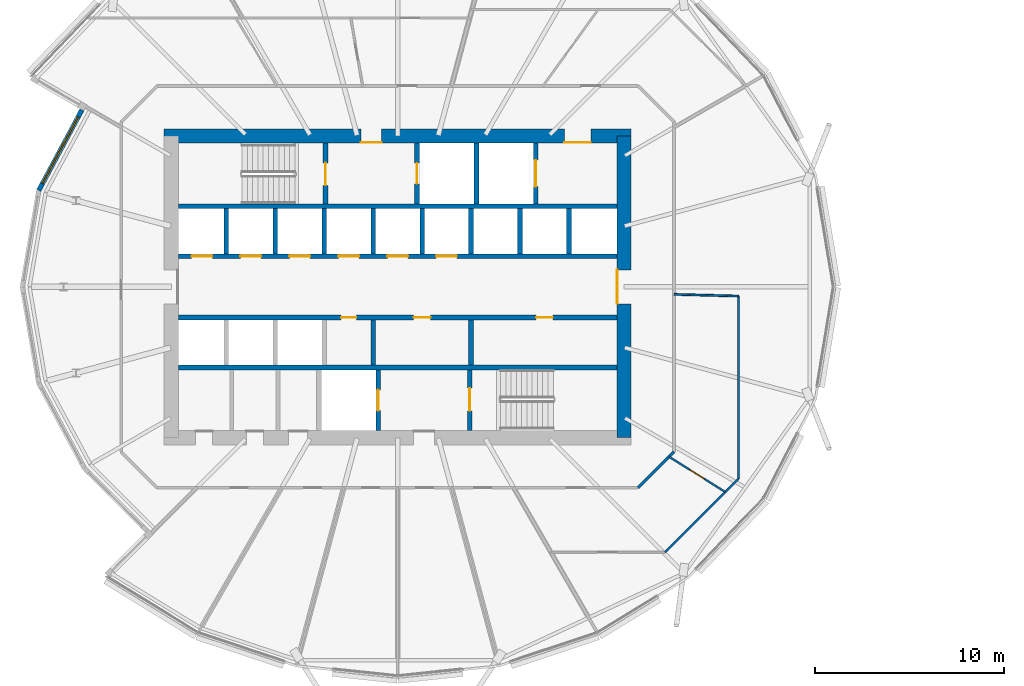
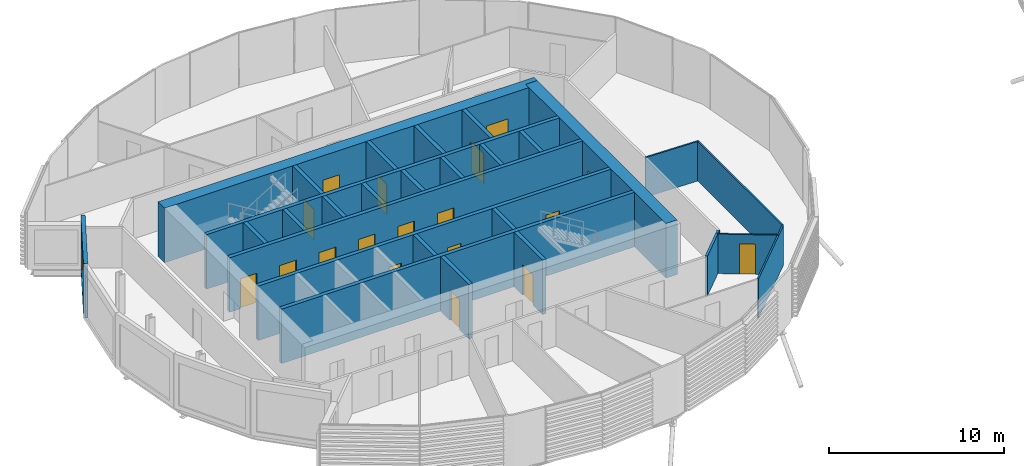
# One storey, part 21 of 38: 28 walls, 18 doors, 1 window, 19 openings.
"""IFC4 building model written with IfcOpenShell, lengths in metres."""

from ifc_helpers import new_model, si_unit, direction, frame, frame_2d, origin, place, context, subcontext, project, spatial, rectangle, extrude, material, layer, layer_set, type_object, element, fill, save


model = new_model("IFC4")

# Units and contexts
model_context = context("Model", 3, precision=1e-05, world=origin(), true_north=direction((0.0, 1.0)))
body_context = subcontext(model_context, "Body", "Model", "MODEL_VIEW")
ifc_project = project(units=[si_unit("LENGTHUNIT", "METRE"), si_unit("AREAUNIT", "SQUARE_METRE"), si_unit("VOLUMEUNIT", "CUBIC_METRE"), si_unit("PLANEANGLEUNIT", "RADIAN"), si_unit("MASSUNIT", "GRAM", prefix="KILO")], contexts=[model_context])

# Site, building, storey
site_placement = place(None, origin())
site = spatial("IfcSite", under=ifc_project, at=site_placement, CompositionType="ELEMENT")
building_placement = place(site_placement, origin())
building = spatial("IfcBuilding", under=site, at=building_placement, Name="Rimbun Link Towers", CompositionType="ELEMENT")
storey_placement = place(building_placement, frame((0.0, 0.0, 123.39990234375)))
storey = spatial("IfcBuildingStorey", under=building, at=storey_placement, Name="L30", CompositionType="ELEMENT", Elevation=123.39990234375)

# Wall, opening, window
ifc_material_1 = material(Name="Dark enamelled glass spandrel on insulated aluminium backpan", Category="aluminium")
ifc_layer_1 = layer(ifc_material_1, 0.25)
ifc_layer_set_1 = layer_set([ifc_layer_1], Name="CS dark enamelled spandrel wall 250")
wall_type_1 = type_object("IfcWallType", Name="CS dark enamelled spandrel wall 250", PredefinedType="STANDARD", material=ifc_layer_set_1)
wall_1_placement = place(storey_placement, frame((-50.779541015625, 5.10791015625, 0.0), z_axis=(0.0, 0.0, 1.0), x_axis=(0.472277359542, 0.881449996122, 0.0)))
wall_1 = element("IfcWall", 1, at=wall_1_placement, inside=storey, type_object=wall_type_1, Name="Crease spandrel wall", PredefinedType="STANDARD", context=body_context, shape_type="SweptSolid", body=[
    extrude(rectangle(XDim=4.84375, YDim=0.25, at=frame_2d((2.421875, 0.0))), origin(), (0.0, 0.0, 1.0), 3.800048828125),
])
opening_1_placement = place(wall_1_placement, frame((0.421875, 0.0, 0.300048828125)))
opening_1 = element("IfcOpeningElement", 2, at=opening_1_placement, cuts=wall_1, Name="Opening WR40H295", PredefinedType="OPENING", context=body_context, shape_type="SweptSolid", body=[
    extrude(rectangle(XDim=4.0, YDim=2.949951171875, at=frame_2d((2.0, 1.47509765625))), frame((0.0, 0.135009765625, 0.0), z_axis=(0.0, -1.0, 0.0), x_axis=(1.0, 0.0, 0.0)), (0.0, 0.0, 1.0), 0.27001953125),
])
ifc_material_2 = material(Name="Aluminium framed fixed window, dark tinted low-e glass", Category="aluminium")
window_type = type_object("IfcWindowType", Name="WR ribbon window 4000X2950", PartitioningType="SINGLE_PANEL", PredefinedType="WINDOW", material=ifc_material_2)
window_placement = place(opening_1_placement, origin())
window = element("IfcWindow", 3, at=window_placement, inside=storey, type_object=window_type, Name="Crease ribbon window", OverallHeight=2.949951171875, OverallWidth=4.0, PartitioningType="SINGLE_PANEL", PredefinedType="WINDOW", context=body_context, shape_type="SweptSolid", body=[
    extrude(rectangle(XDim=4.0, YDim=2.949951171875, at=frame_2d((2.0, 1.47509765625))), frame((0.0, 0.030029296875, 0.0), z_axis=(0.0, -1.0, 0.0), x_axis=(1.0, 0.0, 0.0)), (0.0, 0.0, 1.0), 0.06005859375),
])
fill(opening_1, window)

# Wall, openings, doors
ifc_material_3 = material(Name="Concrete C60/75", Category="concrete")
ifc_layer_2 = layer(ifc_material_3, 0.75)
ifc_layer_set_2 = layer_set([ifc_layer_2], Name="Core shear wall 750")
wall_type_2 = type_object("IfcWallType", Name="Core shear wall 750", PredefinedType="SHEAR", material=ifc_layer_set_2)
wall_2_placement = place(storey_placement, frame((-44.125, 8.0, 0.0), z_axis=(0.0, 0.0, 1.0), x_axis=(1.0, 0.0, 0.0)))
wall_2 = element("IfcWall", 4, at=wall_2_placement, inside=storey, type_object=wall_type_2, Name="L30 T1 core wall N", PredefinedType="SHEAR", context=body_context, shape_type="SweptSolid", body=[
    extrude(rectangle(XDim=24.75, YDim=0.75, at=frame_2d((12.375, 0.0))), origin(), (0.0, 0.0, 1.0), 3.800048828125),
])
opening_2_placement = place(wall_2_placement, frame((10.425048828125, 0.0, 0.0)))
opening_2 = element("IfcOpeningElement", 5, at=opening_2_placement, cuts=wall_2, Name="Opening C1DCF01N", PredefinedType="OPENING", context=body_context, shape_type="SweptSolid", body=[
    extrude(rectangle(XDim=1.10009765625, YDim=2.10009765625, at=frame_2d((0.550048828125, 1.050048828125))), frame((0.0, 0.385009765625, 0.0), z_axis=(0.0, -1.0, 0.0), x_axis=(1.0, 0.0, 0.0)), (0.0, 0.0, 1.0), 0.77001953125),
])
opening_3_placement = place(wall_2_placement, frame((21.21240234375, 0.0, 0.0)))
opening_3 = element("IfcOpeningElement", 6, at=opening_3_placement, cuts=wall_2, Name="Opening C1DSL02N", PredefinedType="OPENING", context=body_context, shape_type="SweptSolid", body=[
    extrude(rectangle(XDim=1.39990234375, YDim=2.10009765625, at=frame_2d((0.699951171875, 1.050048828125))), frame((0.0, 0.385009765625, 0.0), z_axis=(0.0, -1.0, 0.0), x_axis=(1.0, 0.0, 0.0)), (0.0, 0.0, 1.0), 0.77001953125),
])
ifc_material_4 = material(Name="Steel fire door set", Category="steel")
door_type_1 = type_object("IfcDoorType", Name="Core fire door single", OperationType="SINGLE_SWING_LEFT", PredefinedType="DOOR", material=ifc_material_4)
door_1_placement = place(opening_2_placement, origin())
door_1 = element("IfcDoor", 7, at=door_1_placement, inside=storey, type_object=door_type_1, Name="L30 T1 firefighting lobby n door", OperationType="SINGLE_SWING_RIGHT", OverallHeight=2.10009765625, OverallWidth=1.10009765625, PredefinedType="DOOR", context=body_context, shape_type="SweptSolid", body=[
    extrude(rectangle(XDim=1.10009765625, YDim=2.10009765625, at=frame_2d((0.550048828125, 1.050048828125))), frame((0.0, -0.3251953125, 0.0), z_axis=(0.0, -1.0, 0.0), x_axis=(1.0, 0.0, 0.0)), (0.0, 0.0, 1.0), 0.050048828125),
])
fill(opening_2, door_1)
ifc_material_5 = material(Name="Steel fire door set", Category="steel")
door_type_2 = type_object("IfcDoorType", Name="Service lobby door double", OperationType="DOUBLE_DOOR_SINGLE_SWING", PredefinedType="DOOR", material=ifc_material_5)
door_2_placement = place(opening_3_placement, origin())
door_2 = element("IfcDoor", 8, at=door_2_placement, inside=storey, type_object=door_type_2, Name="L30 T1 service lobby door", OperationType="DOUBLE_DOOR_SINGLE_SWING", OverallHeight=2.10009765625, OverallWidth=1.39990234375, PredefinedType="DOOR", context=body_context, shape_type="SweptSolid", body=[
    extrude(rectangle(XDim=1.39990234375, YDim=2.10009765625, at=frame_2d((0.699951171875, 1.050048828125))), frame((0.0, -0.3251953125, 0.0), z_axis=(0.0, -1.0, 0.0), x_axis=(1.0, 0.0, 0.0)), (0.0, 0.0, 1.0), 0.050048828125),
])
fill(opening_3, door_2)

# Wall, opening, door
wall_3_placement = place(storey_placement, frame((-19.75, -8.0, 0.0), z_axis=(0.0, 0.0, 1.0), x_axis=(0.0, 1.0, 0.0)))
wall_3 = element("IfcWall", 9, at=wall_3_placement, inside=storey, type_object=wall_type_2, Name="L30 T1 core wall E", PredefinedType="SHEAR", context=body_context, shape_type="SweptSolid", body=[
    extrude(rectangle(XDim=16.0, YDim=0.75, at=frame_2d((8.0, 0.0))), origin(), (0.0, 0.0, 1.0), 3.800048828125),
])
opening_4_placement = place(wall_3_placement, frame((7.10009765625, 0.0, 0.0)))
opening_4 = element("IfcOpeningElement", 10, at=opening_4_placement, cuts=wall_3, Name="Opening C1DCL01E", PredefinedType="OPENING", context=body_context, shape_type="SweptSolid", body=[
    extrude(rectangle(XDim=1.800048828125, YDim=2.10009765625, at=frame_2d((0.89990234375, 1.050048828125))), frame((0.0, 0.385009765625, 0.0), z_axis=(0.0, -1.0, 0.0), x_axis=(1.0, 0.0, 0.0)), (0.0, 0.0, 1.0), 0.77001953125),
])
ifc_material_6 = material(Name="Steel fire door set", Category="steel")
door_type_3 = type_object("IfcDoorType", Name="Core lobby door double", OperationType="DOUBLE_DOOR_SINGLE_SWING", PredefinedType="DOOR", material=ifc_material_6)
door_3_placement = place(opening_4_placement, origin())
door_3 = element("IfcDoor", 11, at=door_3_placement, inside=storey, type_object=door_type_3, Name="L30 T1 lift lobby door", OperationType="DOUBLE_DOOR_SINGLE_SWING", OverallHeight=2.10009765625, OverallWidth=1.800048828125, PredefinedType="DOOR", context=body_context, shape_type="SweptSolid", body=[
    extrude(rectangle(XDim=1.800048828125, YDim=2.10009765625, at=frame_2d((0.89990234375, 1.050048828125))), frame((0.0, 0.375, 0.0), z_axis=(0.0, -1.0, 0.0), x_axis=(1.0, 0.0, 0.0)), (0.0, 0.0, 1.0), 0.050048828125),
])
fill(opening_4, door_3)

# Wall
ifc_material_7 = material(Name="Plasterboard on steel stud, mineral wool", Category="steel")
ifc_layer_3 = layer(ifc_material_7, 0.14990234375)
ifc_layer_set_3 = layer_set([ifc_layer_3], Name="Corridor wall EI 30 150 mm")
wall_type_3 = type_object("IfcWallType", Name="Corridor wall EI 30 150 mm", PredefinedType="PARTITIONING", material=ifc_layer_set_3)
wall_4_placement = place(storey_placement, frame((-18.998291015625, -10.64990234375, 0.0), z_axis=(0.0, 0.0, 1.0), x_axis=(0.707106781187, 0.707106781187, 0.0)))
element("IfcWall", 12, at=wall_4_placement, inside=storey, type_object=wall_type_3, Name="Corridor wall EI 30 150 mm", PredefinedType="PARTITIONING", context=body_context, shape_type="SweptSolid", body=[
    extrude(rectangle(XDim=2.6845703125, YDim=0.14990234375, at=frame_2d((1.34228515625, 0.0))), origin(), (0.0, 0.0, 1.0), 2.759033203125),
])

# Wall, opening, door
ifc_material_8 = material(Name="Plasterboard on steel stud", Category="steel")
ifc_layer_4 = layer(ifc_material_8, 0.10009765625)
ifc_layer_set_4 = layer_set([ifc_layer_4], Name="Plasterboard partition 100 mm")
wall_type_4 = type_object("IfcWallType", Name="Plasterboard partition 100 mm", PredefinedType="PARTITIONING", material=ifc_layer_set_4)
wall_5_placement = place(storey_placement, frame((-17.35986328125, -9.011474609375, 0.0), z_axis=(0.0, 0.0, 1.0), x_axis=(0.847521121802, -0.530761667889, 0.0)))
wall_5 = element("IfcWall", 13, at=wall_5_placement, inside=storey, type_object=wall_type_4, Name="Plasterboard partition 100 mm", PredefinedType="PARTITIONING", context=body_context, shape_type="SweptSolid", body=[
    extrude(rectangle(XDim=3.50927734375, YDim=0.10009765625, at=frame_2d((1.754638671875, 0.0))), origin(), (0.0, 0.0, 1.0), 2.759033203125),
])
opening_5_placement = place(wall_5_placement, frame((1.3046875, 0.0, 0.0)))
opening_5 = element("IfcOpeningElement", 14, at=opening_5_placement, cuts=wall_5, Name="Opening D04", PredefinedType="OPENING", context=body_context, shape_type="SweptSolid", body=[
    extrude(rectangle(XDim=0.89990234375, YDim=2.10009765625, at=frame_2d((0.449951171875, 1.050048828125))), frame((0.0, 0.06005859375, 0.0), z_axis=(0.0, -1.0, 0.0), x_axis=(1.0, 0.0, 0.0)), (0.0, 0.0, 1.0), 0.1201171875),
])
ifc_material_9 = material(Name="Timber door leaf", Category="wood")
door_type_4 = type_object("IfcDoorType", Name="Flush door 900", OperationType="NOTDEFINED", PredefinedType="DOOR", material=ifc_material_9)
door_4_placement = place(opening_5_placement, origin())
door_4 = element("IfcDoor", 15, at=door_4_placement, inside=storey, type_object=door_type_4, Name="Flush door 900 to Meeting room", OperationType="SINGLE_SWING_RIGHT", OverallHeight=2.10009765625, OverallWidth=0.89990234375, PredefinedType="DOOR", context=body_context, shape_type="SweptSolid", body=[
    extrude(rectangle(XDim=0.89990234375, YDim=2.10009765625, at=frame_2d((0.449951171875, 1.050048828125))), frame((0.0, 0.02490234375, 0.0), z_axis=(0.0, -1.0, 0.0), x_axis=(1.0, 0.0, 0.0)), (0.0, 0.0, 1.0), 0.050048828125),
])
fill(opening_5, door_4)

# Walls
wall_6_placement = place(storey_placement, frame((-17.581787109375, -14.070068359375, 0.0), z_axis=(0.0, 0.0, 1.0), x_axis=(0.707084658174, 0.707128903507, 0.0)))
element("IfcWall", 16, at=wall_6_placement, inside=storey, type_object=wall_type_4, Name="Plasterboard partition 100 mm", PredefinedType="PARTITIONING", context=body_context, shape_type="SweptSolid", body=[
    extrude(rectangle(XDim=5.517822265625, YDim=0.10009765625, at=frame_2d((2.7587890625, 0.0))), origin(), (0.0, 0.0, 1.0), 2.759033203125),
])
wall_7_placement = place(storey_placement, frame((-13.679931640625, -10.168212890625, 0.0), z_axis=(0.0, 0.0, 1.0), x_axis=(0.0, 1.0, 0.0)))
element("IfcWall", 17, at=wall_7_placement, inside=storey, type_object=wall_type_4, Name="Plasterboard partition 100 mm", PredefinedType="PARTITIONING", context=body_context, shape_type="SweptSolid", body=[
    extrude(rectangle(XDim=9.676025390625, YDim=0.10009765625, at=frame_2d((4.837890625, 0.0))), origin(), (0.0, 0.0, 1.0), 2.759033203125),
])
wall_8_placement = place(storey_placement, frame((-13.679931640625, -0.4921875, 0.0), z_axis=(0.0, 0.0, 1.0), x_axis=(-0.999628430249, 0.027258052706, 0.0)))
element("IfcWall", 18, at=wall_8_placement, inside=storey, type_object=wall_type_4, Name="Plasterboard partition 100 mm", PredefinedType="PARTITIONING", context=body_context, shape_type="SweptSolid", body=[
    extrude(rectangle(XDim=3.42138671875, YDim=0.10009765625, at=frame_2d((1.710693359375, 0.0))), origin(), (0.0, 0.0, 1.0), 2.759033203125),
])
ifc_material_10 = material(Name="Concrete C60/75", Category="concrete")
ifc_layer_5 = layer(ifc_material_10, 0.25)
ifc_layer_set_5 = layer_set([ifc_layer_5], Name="Shaft wall 250")
wall_type_5 = type_object("IfcWallType", Name="Shaft wall 250", PredefinedType="SHEAR", material=ifc_layer_set_5)
for number, where, z_axis, x_axis, name in (
    (19, (-43.375, 4.27490234375, 0.0), (0.0, 0.0, 1.0), (1.0, 0.0, 0.0), "L30 T1 core wall BN"),
    (20, (-43.375, -4.27490234375, 0.0), (0.0, 0.0, 1.0), (1.0, 0.0, 0.0), "L30 T1 core wall BS"),
):
    element("IfcWall", number, at=place(storey_placement, frame(where, z_axis=z_axis, x_axis=x_axis)), inside=storey, type_object=wall_type_5, Name=name, PredefinedType="SHEAR", context=body_context, shape_type="SweptSolid", body=[
        extrude(rectangle(XDim=23.25, YDim=0.25, at=frame_2d((11.625, 0.0))), origin(), (0.0, 0.0, 1.0), 3.800048828125),
    ])

# Wall, openings, doors
wall_9_placement = place(storey_placement, frame((-43.375, 1.625, 0.0), z_axis=(0.0, 0.0, 1.0), x_axis=(1.0, 0.0, 0.0)))
wall_9 = element("IfcWall", 21, at=wall_9_placement, inside=storey, type_object=wall_type_5, Name="L30 T1 core wall FN", PredefinedType="SHEAR", context=body_context, shape_type="SweptSolid", body=[
    extrude(rectangle(XDim=23.25, YDim=0.25, at=frame_2d((11.625, 0.0))), origin(), (0.0, 0.0, 1.0), 3.800048828125),
])
opening_6_placement = place(wall_9_placement, frame((0.697265625, 0.0, 0.0)))
opening_6 = element("IfcOpeningElement", 22, at=opening_6_placement, cuts=wall_9, Name="Opening LD-T1-LR1", PredefinedType="OPENING", context=body_context, shape_type="SweptSolid", body=[
    extrude(rectangle(XDim=1.10009765625, YDim=2.10009765625, at=frame_2d((0.550048828125, 1.050048828125))), frame((0.0, 0.135009765625, 0.0), z_axis=(0.0, -1.0, 0.0), x_axis=(1.0, 0.0, 0.0)), (0.0, 0.0, 1.0), 0.27001953125),
])
opening_7_placement = place(wall_9_placement, frame((3.291748046875, 0.0, 0.0)))
opening_7 = element("IfcOpeningElement", 23, at=opening_7_placement, cuts=wall_9, Name="Opening LD-T1-LR2", PredefinedType="OPENING", context=body_context, shape_type="SweptSolid", body=[
    extrude(rectangle(XDim=1.10009765625, YDim=2.10009765625, at=frame_2d((0.550048828125, 1.050048828125))), frame((0.0, 0.135009765625, 0.0), z_axis=(0.0, -1.0, 0.0), x_axis=(1.0, 0.0, 0.0)), (0.0, 0.0, 1.0), 0.27001953125),
])
opening_8_placement = place(wall_9_placement, frame((5.885986328125, 0.0, 0.0)))
opening_8 = element("IfcOpeningElement", 24, at=opening_8_placement, cuts=wall_9, Name="Opening LD-T1-LR3", PredefinedType="OPENING", context=body_context, shape_type="SweptSolid", body=[
    extrude(rectangle(XDim=1.10009765625, YDim=2.10009765625, at=frame_2d((0.550048828125, 1.050048828125))), frame((0.0, 0.135009765625, 0.0), z_axis=(0.0, -1.0, 0.0), x_axis=(1.0, 0.0, 0.0)), (0.0, 0.0, 1.0), 0.27001953125),
])
opening_9_placement = place(wall_9_placement, frame((8.480712890625, 0.0, 0.0)))
opening_9 = element("IfcOpeningElement", 25, at=opening_9_placement, cuts=wall_9, Name="Opening LD-T1-LR4", PredefinedType="OPENING", context=body_context, shape_type="SweptSolid", body=[
    extrude(rectangle(XDim=1.10009765625, YDim=2.10009765625, at=frame_2d((0.550048828125, 1.050048828125))), frame((0.0, 0.135009765625, 0.0), z_axis=(0.0, -1.0, 0.0), x_axis=(1.0, 0.0, 0.0)), (0.0, 0.0, 1.0), 0.27001953125),
])
opening_10_placement = place(wall_9_placement, frame((11.074951171875, 0.0, 0.0)))
opening_10 = element("IfcOpeningElement", 26, at=opening_10_placement, cuts=wall_9, Name="Opening LD-T1-LR5", PredefinedType="OPENING", context=body_context, shape_type="SweptSolid", body=[
    extrude(rectangle(XDim=1.10009765625, YDim=2.10009765625, at=frame_2d((0.550048828125, 1.050048828125))), frame((0.0, 0.135009765625, 0.0), z_axis=(0.0, -1.0, 0.0), x_axis=(1.0, 0.0, 0.0)), (0.0, 0.0, 1.0), 0.27001953125),
])
opening_11_placement = place(wall_9_placement, frame((13.66943359375, 0.0, 0.0)))
opening_11 = element("IfcOpeningElement", 27, at=opening_11_placement, cuts=wall_9, Name="Opening LD-T1-LR6", PredefinedType="OPENING", context=body_context, shape_type="SweptSolid", body=[
    extrude(rectangle(XDim=1.10009765625, YDim=2.10009765625, at=frame_2d((0.550048828125, 1.050048828125))), frame((0.0, 0.135009765625, 0.0), z_axis=(0.0, -1.0, 0.0), x_axis=(1.0, 0.0, 0.0)), (0.0, 0.0, 1.0), 0.27001953125),
])
ifc_material_11 = material(Name="Stainless steel grade 316", Category="steel")
door_type_5 = type_object("IfcDoorType", Name="Lift landing door", OperationType="DOUBLE_DOOR_SLIDING", PredefinedType="DOOR", material=ifc_material_11)
door_5_placement = place(opening_6_placement, origin())
door_5 = element("IfcDoor", 28, at=door_5_placement, inside=storey, type_object=door_type_5, Name="L30 T1 lift LR1 landing door", OperationType="DOUBLE_DOOR_SLIDING", OverallHeight=2.10009765625, OverallWidth=1.10009765625, PredefinedType="DOOR", context=body_context, shape_type="SweptSolid", body=[
    extrude(rectangle(XDim=1.10009765625, YDim=2.10009765625, at=frame_2d((0.550048828125, 1.050048828125))), frame((0.0, 0.02490234375, 0.0), z_axis=(0.0, -1.0, 0.0), x_axis=(1.0, 0.0, 0.0)), (0.0, 0.0, 1.0), 0.050048828125),
])
fill(opening_6, door_5)
door_6_placement = place(opening_7_placement, origin())
door_6 = element("IfcDoor", 29, at=door_6_placement, inside=storey, type_object=door_type_5, Name="L30 T1 lift LR2 landing door", OperationType="DOUBLE_DOOR_SLIDING", OverallHeight=2.10009765625, OverallWidth=1.10009765625, PredefinedType="DOOR", context=body_context, shape_type="SweptSolid", body=[
    extrude(rectangle(XDim=1.10009765625, YDim=2.10009765625, at=frame_2d((0.550048828125, 1.050048828125))), frame((0.0, 0.02490234375, 0.0), z_axis=(0.0, -1.0, 0.0), x_axis=(1.0, 0.0, 0.0)), (0.0, 0.0, 1.0), 0.050048828125),
])
fill(opening_7, door_6)
door_7_placement = place(opening_8_placement, origin())
door_7 = element("IfcDoor", 30, at=door_7_placement, inside=storey, type_object=door_type_5, Name="L30 T1 lift LR3 landing door", OperationType="DOUBLE_DOOR_SLIDING", OverallHeight=2.10009765625, OverallWidth=1.10009765625, PredefinedType="DOOR", context=body_context, shape_type="SweptSolid", body=[
    extrude(rectangle(XDim=1.10009765625, YDim=2.10009765625, at=frame_2d((0.550048828125, 1.050048828125))), frame((0.0, 0.02490234375, 0.0), z_axis=(0.0, -1.0, 0.0), x_axis=(1.0, 0.0, 0.0)), (0.0, 0.0, 1.0), 0.050048828125),
])
fill(opening_8, door_7)
door_8_placement = place(opening_9_placement, origin())
door_8 = element("IfcDoor", 31, at=door_8_placement, inside=storey, type_object=door_type_5, Name="L30 T1 lift LR4 landing door", OperationType="DOUBLE_DOOR_SLIDING", OverallHeight=2.10009765625, OverallWidth=1.10009765625, PredefinedType="DOOR", context=body_context, shape_type="SweptSolid", body=[
    extrude(rectangle(XDim=1.10009765625, YDim=2.10009765625, at=frame_2d((0.550048828125, 1.050048828125))), frame((0.0, 0.02490234375, 0.0), z_axis=(0.0, -1.0, 0.0), x_axis=(1.0, 0.0, 0.0)), (0.0, 0.0, 1.0), 0.050048828125),
])
fill(opening_9, door_8)
door_9_placement = place(opening_10_placement, origin())
door_9 = element("IfcDoor", 32, at=door_9_placement, inside=storey, type_object=door_type_5, Name="L30 T1 lift LR5 landing door", OperationType="DOUBLE_DOOR_SLIDING", OverallHeight=2.10009765625, OverallWidth=1.10009765625, PredefinedType="DOOR", context=body_context, shape_type="SweptSolid", body=[
    extrude(rectangle(XDim=1.10009765625, YDim=2.10009765625, at=frame_2d((0.550048828125, 1.050048828125))), frame((0.0, 0.02490234375, 0.0), z_axis=(0.0, -1.0, 0.0), x_axis=(1.0, 0.0, 0.0)), (0.0, 0.0, 1.0), 0.050048828125),
])
fill(opening_10, door_9)
door_10_placement = place(opening_11_placement, origin())
door_10 = element("IfcDoor", 33, at=door_10_placement, inside=storey, type_object=door_type_5, Name="L30 T1 lift LR6 landing door", OperationType="DOUBLE_DOOR_SLIDING", OverallHeight=2.10009765625, OverallWidth=1.10009765625, PredefinedType="DOOR", context=body_context, shape_type="SweptSolid", body=[
    extrude(rectangle(XDim=1.10009765625, YDim=2.10009765625, at=frame_2d((0.550048828125, 1.050048828125))), frame((0.0, 0.02490234375, 0.0), z_axis=(0.0, -1.0, 0.0), x_axis=(1.0, 0.0, 0.0)), (0.0, 0.0, 1.0), 0.050048828125),
])
fill(opening_11, door_10)

wall_10_placement = place(storey_placement, frame((-43.375, -1.625, 0.0), z_axis=(0.0, 0.0, 1.0), x_axis=(1.0, 0.0, 0.0)))
wall_10 = element("IfcWall", 34, at=wall_10_placement, inside=storey, type_object=wall_type_5, Name="L30 T1 core wall FS", PredefinedType="SHEAR", context=body_context, shape_type="SweptSolid", body=[
    extrude(rectangle(XDim=23.25, YDim=0.25, at=frame_2d((11.625, 0.0))), origin(), (0.0, 0.0, 1.0), 3.800048828125),
])
opening_12_placement = place(wall_10_placement, frame((8.630615234375, 0.0, 0.0)))
opening_12 = element("IfcOpeningElement", 35, at=opening_12_placement, cuts=wall_10, Name="Opening C1DRA01FS", PredefinedType="OPENING", context=body_context, shape_type="SweptSolid", body=[
    extrude(rectangle(XDim=0.800048828125, YDim=2.10009765625, at=frame_2d((0.39990234375, 1.050048828125))), frame((0.0, 0.135009765625, 0.0), z_axis=(0.0, -1.0, 0.0), x_axis=(1.0, 0.0, 0.0)), (0.0, 0.0, 1.0), 0.27001953125),
])
opening_13_placement = place(wall_10_placement, frame((12.47216796875, 0.0, 0.0)))
opening_13 = element("IfcOpeningElement", 36, at=opening_13_placement, cuts=wall_10, Name="Opening C1DRS02FS", PredefinedType="OPENING", context=body_context, shape_type="SweptSolid", body=[
    extrude(rectangle(XDim=0.89990234375, YDim=2.10009765625, at=frame_2d((0.449951171875, 1.050048828125))), frame((0.0, 0.135009765625, 0.0), z_axis=(0.0, -1.0, 0.0), x_axis=(1.0, 0.0, 0.0)), (0.0, 0.0, 1.0), 0.27001953125),
])
opening_14_placement = place(wall_10_placement, frame((18.958251953125, 0.0, 0.0)))
opening_14 = element("IfcOpeningElement", 37, at=opening_14_placement, cuts=wall_10, Name="Opening C1DRS03FS", PredefinedType="OPENING", context=body_context, shape_type="SweptSolid", body=[
    extrude(rectangle(XDim=0.89990234375, YDim=2.10009765625, at=frame_2d((0.449951171875, 1.050048828125))), frame((0.0, 0.135009765625, 0.0), z_axis=(0.0, -1.0, 0.0), x_axis=(1.0, 0.0, 0.0)), (0.0, 0.0, 1.0), 0.27001953125),
])
ifc_material_12 = material(Name="Steel fire door set", Category="steel")
door_type_6 = type_object("IfcDoorType", Name="Core riser door", OperationType="SINGLE_SWING_LEFT", PredefinedType="DOOR", material=ifc_material_12)
door_11_placement = place(opening_13_placement, origin())
door_11 = element("IfcDoor", 38, at=door_11_placement, inside=storey, type_object=door_type_6, Name="L30 T1 mail room door", OperationType="SINGLE_SWING_RIGHT", OverallHeight=2.10009765625, OverallWidth=0.89990234375, PredefinedType="DOOR", context=body_context, shape_type="SweptSolid", body=[
    extrude(rectangle(XDim=0.89990234375, YDim=2.10009765625, at=frame_2d((0.449951171875, 1.050048828125))), frame((0.0, 0.02490234375, 0.0), z_axis=(0.0, -1.0, 0.0), x_axis=(1.0, 0.0, 0.0)), (0.0, 0.0, 1.0), 0.050048828125),
])
fill(opening_13, door_11)
door_12_placement = place(opening_14_placement, origin())
door_12 = element("IfcDoor", 39, at=door_12_placement, inside=storey, type_object=door_type_6, Name="L30 T1 plant room door", OperationType="SINGLE_SWING_LEFT", OverallHeight=2.10009765625, OverallWidth=0.89990234375, PredefinedType="DOOR", context=body_context, shape_type="SweptSolid", body=[
    extrude(rectangle(XDim=0.89990234375, YDim=2.10009765625, at=frame_2d((0.449951171875, 1.050048828125))), frame((0.0, 0.02490234375, 0.0), z_axis=(0.0, -1.0, 0.0), x_axis=(1.0, 0.0, 0.0)), (0.0, 0.0, 1.0), 0.050048828125),
])
fill(opening_14, door_12)
ifc_material_13 = material(Name="Steel fire door set", Category="steel")
door_type_7 = type_object("IfcDoorType", Name="Riser access door 800 x 2100", OperationType="SINGLE_SWING_LEFT", PredefinedType="DOOR", material=ifc_material_13)
door_13_placement = place(opening_12_placement, origin())
door_13 = element("IfcDoor", 40, at=door_13_placement, inside=storey, type_object=door_type_7, Name="L30 T1 riser cupboard door", OperationType="SINGLE_SWING_LEFT", OverallHeight=2.10009765625, OverallWidth=0.800048828125, PredefinedType="DOOR", context=body_context, shape_type="SweptSolid", body=[
    extrude(rectangle(XDim=0.800048828125, YDim=2.10009765625, at=frame_2d((0.39990234375, 1.050048828125))), frame((0.0, 0.02490234375, 0.0), z_axis=(0.0, -1.0, 0.0), x_axis=(1.0, 0.0, 0.0)), (0.0, 0.0, 1.0), 0.050048828125),
])
fill(opening_12, door_13)

# Walls
for number, where, z_axis, x_axis, name in (
    (41, (-40.83056640625, 1.75, 0.0), (0.0, 0.0, 1.0), (0.0, 1.0, 0.0), "L30 T1 core wall DN0"),
    (42, (-38.236083984375, 1.75, 0.0), (0.0, 0.0, 1.0), (0.0, 1.0, 0.0), "L30 T1 core wall DN1"),
    (43, (-35.6416015625, 1.75, 0.0), (0.0, 0.0, 1.0), (0.0, 1.0, 0.0), "L30 T1 core wall DN2"),
    (44, (-33.047119140625, 1.75, 0.0), (0.0, 0.0, 1.0), (0.0, 1.0, 0.0), "L30 T1 core wall DN3"),
    (45, (-30.452880859375, 1.75, 0.0), (0.0, 0.0, 1.0), (0.0, 1.0, 0.0), "L30 T1 core wall DN4"),
    (46, (-27.8583984375, 1.75, 0.0), (0.0, 0.0, 1.0), (0.0, 1.0, 0.0), "L30 T1 core wall DN5"),
    (47, (-25.263916015625, 1.75, 0.0), (0.0, 0.0, 1.0), (0.0, 1.0, 0.0), "L30 T1 core wall DN6"),
    (48, (-22.66943359375, 1.75, 0.0), (0.0, 0.0, 1.0), (0.0, 1.0, 0.0), "L30 T1 core wall DN7"),
    (49, (-33.047119140625, -4.14990234375, 0.0), (0.0, 0.0, 1.0), (0.0, 1.0, 0.0), "L30 T1 core wall DS3"),
    (50, (-27.8583984375, -4.14990234375, 0.0), (0.0, 0.0, 1.0), (0.0, 1.0, 0.0), "L30 T1 core wall DS5"),
):
    element("IfcWall", number, at=place(storey_placement, frame(where, z_axis=z_axis, x_axis=x_axis)), inside=storey, type_object=wall_type_5, Name=name, PredefinedType="SHEAR", context=body_context, shape_type="SweptSolid", body=[
        extrude(rectangle(XDim=2.39990234375, YDim=0.25, at=frame_2d((1.199951171875, 0.0))), origin(), (0.0, 0.0, 1.0), 3.800048828125),
    ])

# Wall, opening, door
wall_11_placement = place(storey_placement, frame((-35.574951171875, 4.39990234375, 0.0), z_axis=(0.0, 0.0, 1.0), x_axis=(0.0, 1.0, 0.0)))
wall_11 = element("IfcWall", 51, at=wall_11_placement, inside=storey, type_object=wall_type_5, Name="L30 T1 core wall A1", PredefinedType="SHEAR", context=body_context, shape_type="SweptSolid", body=[
    extrude(rectangle(XDim=3.22509765625, YDim=0.25, at=frame_2d((1.612548828125, 0.0))), origin(), (0.0, 0.0, 1.0), 3.800048828125),
])
opening_15_placement = place(wall_11_placement, frame((0.97509765625, 0.0, 0.0)))
opening_15 = element("IfcOpeningElement", 52, at=opening_15_placement, cuts=wall_11, Name="Opening C1DST01A1", PredefinedType="OPENING", context=body_context, shape_type="SweptSolid", body=[
    extrude(rectangle(XDim=1.199951171875, YDim=2.10009765625, at=frame_2d((0.60009765625, 1.050048828125))), frame((0.0, 0.135009765625, 0.0), z_axis=(0.0, -1.0, 0.0), x_axis=(1.0, 0.0, 0.0)), (0.0, 0.0, 1.0), 0.27001953125),
])
ifc_material_14 = material(Name="Steel fire door set", Category="steel")
door_type_8 = type_object("IfcDoorType", Name="Stair door", OperationType="SINGLE_SWING_LEFT", PredefinedType="DOOR", material=ifc_material_14)
door_14_placement = place(opening_15_placement, origin())
door_14 = element("IfcDoor", 53, at=door_14_placement, inside=storey, type_object=door_type_8, Name="L30 T1 stair a door", OperationType="SINGLE_SWING_RIGHT", OverallHeight=2.10009765625, OverallWidth=1.199951171875, PredefinedType="DOOR", context=body_context, shape_type="SweptSolid", body=[
    extrude(rectangle(XDim=1.199951171875, YDim=2.10009765625, at=frame_2d((0.60009765625, 1.050048828125))), frame((0.0, 0.02490234375, 0.0), z_axis=(0.0, -1.0, 0.0), x_axis=(1.0, 0.0, 0.0)), (0.0, 0.0, 1.0), 0.050048828125),
])
fill(opening_15, door_14)

wall_12_placement = place(storey_placement, frame((-30.72509765625, 4.39990234375, 0.0), z_axis=(0.0, 0.0, 1.0), x_axis=(0.0, 1.0, 0.0)))
wall_12 = element("IfcWall", 54, at=wall_12_placement, inside=storey, type_object=wall_type_5, Name="L30 T1 core wall A2", PredefinedType="SHEAR", context=body_context, shape_type="SweptSolid", body=[
    extrude(rectangle(XDim=3.22509765625, YDim=0.25, at=frame_2d((1.612548828125, 0.0))), origin(), (0.0, 0.0, 1.0), 3.800048828125),
])
opening_16_placement = place(wall_12_placement, frame((1.0625, 0.0, 0.0)))
opening_16 = element("IfcOpeningElement", 55, at=opening_16_placement, cuts=wall_12, Name="Opening LD-T1-FF1", PredefinedType="OPENING", context=body_context, shape_type="SweptSolid", body=[
    extrude(rectangle(XDim=1.10009765625, YDim=2.10009765625, at=frame_2d((0.550048828125, 1.050048828125))), frame((0.0, 0.135009765625, 0.0), z_axis=(0.0, -1.0, 0.0), x_axis=(1.0, 0.0, 0.0)), (0.0, 0.0, 1.0), 0.27001953125),
])
door_15_placement = place(opening_16_placement, origin())
door_15 = element("IfcDoor", 56, at=door_15_placement, inside=storey, type_object=door_type_5, Name="L30 T1 lift FF1 landing door", OperationType="DOUBLE_DOOR_SLIDING", OverallHeight=2.10009765625, OverallWidth=1.10009765625, PredefinedType="DOOR", context=body_context, shape_type="SweptSolid", body=[
    extrude(rectangle(XDim=1.10009765625, YDim=2.10009765625, at=frame_2d((0.550048828125, 1.050048828125))), frame((0.0, 0.02490234375, 0.0), z_axis=(0.0, -1.0, 0.0), x_axis=(1.0, 0.0, 0.0)), (0.0, 0.0, 1.0), 0.050048828125),
])
fill(opening_16, door_15)

# Wall
wall_13_placement = place(storey_placement, frame((-27.574951171875, 4.39990234375, 0.0), z_axis=(0.0, 0.0, 1.0), x_axis=(0.0, 1.0, 0.0)))
element("IfcWall", 57, at=wall_13_placement, inside=storey, type_object=wall_type_5, Name="L30 T1 core wall A3", PredefinedType="SHEAR", context=body_context, shape_type="SweptSolid", body=[
    extrude(rectangle(XDim=3.22509765625, YDim=0.25, at=frame_2d((1.612548828125, 0.0))), origin(), (0.0, 0.0, 1.0), 3.800048828125),
])

# Wall, opening, door
wall_14_placement = place(storey_placement, frame((-24.425048828125, 4.39990234375, 0.0), z_axis=(0.0, 0.0, 1.0), x_axis=(0.0, 1.0, 0.0)))
wall_14 = element("IfcWall", 58, at=wall_14_placement, inside=storey, type_object=wall_type_5, Name="L30 T1 core wall A4", PredefinedType="SHEAR", context=body_context, shape_type="SweptSolid", body=[
    extrude(rectangle(XDim=3.22509765625, YDim=0.25, at=frame_2d((1.612548828125, 0.0))), origin(), (0.0, 0.0, 1.0), 3.800048828125),
])
opening_17_placement = place(wall_14_placement, frame((0.91259765625, 0.0, 0.0)))
opening_17 = element("IfcOpeningElement", 59, at=opening_17_placement, cuts=wall_14, Name="Opening LD-T1-GL1", PredefinedType="OPENING", context=body_context, shape_type="SweptSolid", body=[
    extrude(rectangle(XDim=1.39990234375, YDim=2.10009765625, at=frame_2d((0.699951171875, 1.050048828125))), frame((0.0, 0.135009765625, 0.0), z_axis=(0.0, -1.0, 0.0), x_axis=(1.0, 0.0, 0.0)), (0.0, 0.0, 1.0), 0.27001953125),
])
ifc_material_15 = material(Name="Stainless steel grade 316", Category="steel")
door_type_9 = type_object("IfcDoorType", Name="Goods lift landing door", OperationType="DOUBLE_DOOR_SLIDING", PredefinedType="DOOR", material=ifc_material_15)
door_16_placement = place(opening_17_placement, origin())
door_16 = element("IfcDoor", 60, at=door_16_placement, inside=storey, type_object=door_type_9, Name="L30 T1 lift GL1 landing door", OperationType="DOUBLE_DOOR_SLIDING", OverallHeight=2.10009765625, OverallWidth=1.39990234375, PredefinedType="DOOR", context=body_context, shape_type="SweptSolid", body=[
    extrude(rectangle(XDim=1.39990234375, YDim=2.10009765625, at=frame_2d((0.699951171875, 1.050048828125))), frame((0.0, 0.02490234375, 0.0), z_axis=(0.0, -1.0, 0.0), x_axis=(1.0, 0.0, 0.0)), (0.0, 0.0, 1.0), 0.050048828125),
])
fill(opening_17, door_16)

wall_15_placement = place(storey_placement, frame((-27.925048828125, -4.39990234375, 0.0), z_axis=(0.0, 0.0, 1.0), x_axis=(0.0, -1.0, 0.0)))
wall_15 = element("IfcWall", 61, at=wall_15_placement, inside=storey, type_object=wall_type_5, Name="L30 T1 core wall B1", PredefinedType="SHEAR", context=body_context, shape_type="SweptSolid", body=[
    extrude(rectangle(XDim=3.22509765625, YDim=0.25, at=frame_2d((1.612548828125, 0.0))), origin(), (0.0, 0.0, 1.0), 3.800048828125),
])
opening_18_placement = place(wall_15_placement, frame((0.97509765625, 0.0, 0.0)))
opening_18 = element("IfcOpeningElement", 62, at=opening_18_placement, cuts=wall_15, Name="Opening C1DST01B1", PredefinedType="OPENING", context=body_context, shape_type="SweptSolid", body=[
    extrude(rectangle(XDim=1.199951171875, YDim=2.10009765625, at=frame_2d((0.60009765625, 1.050048828125))), frame((0.0, 0.135009765625, 0.0), z_axis=(0.0, -1.0, 0.0), x_axis=(1.0, 0.0, 0.0)), (0.0, 0.0, 1.0), 0.27001953125),
])
door_17_placement = place(opening_18_placement, origin())
door_17 = element("IfcDoor", 63, at=door_17_placement, inside=storey, type_object=door_type_8, Name="L30 T1 stair b door", OperationType="SINGLE_SWING_LEFT", OverallHeight=2.10009765625, OverallWidth=1.199951171875, PredefinedType="DOOR", context=body_context, shape_type="SweptSolid", body=[
    extrude(rectangle(XDim=1.199951171875, YDim=2.10009765625, at=frame_2d((0.60009765625, 1.050048828125))), frame((0.0, 0.02490234375, 0.0), z_axis=(0.0, -1.0, 0.0), x_axis=(1.0, 0.0, 0.0)), (0.0, 0.0, 1.0), 0.050048828125),
])
fill(opening_18, door_17)

wall_16_placement = place(storey_placement, frame((-32.77490234375, -4.39990234375, 0.0), z_axis=(0.0, 0.0, 1.0), x_axis=(0.0, -1.0, 0.0)))
wall_16 = element("IfcWall", 64, at=wall_16_placement, inside=storey, type_object=wall_type_5, Name="L30 T1 core wall B2", PredefinedType="SHEAR", context=body_context, shape_type="SweptSolid", body=[
    extrude(rectangle(XDim=3.22509765625, YDim=0.25, at=frame_2d((1.612548828125, 0.0))), origin(), (0.0, 0.0, 1.0), 3.800048828125),
])
opening_19_placement = place(wall_16_placement, frame((1.0625, 0.0, 0.0)))
opening_19 = element("IfcOpeningElement", 65, at=opening_19_placement, cuts=wall_16, Name="Opening LD-T1-FF2", PredefinedType="OPENING", context=body_context, shape_type="SweptSolid", body=[
    extrude(rectangle(XDim=1.10009765625, YDim=2.10009765625, at=frame_2d((0.550048828125, 1.050048828125))), frame((0.0, 0.135009765625, 0.0), z_axis=(0.0, -1.0, 0.0), x_axis=(1.0, 0.0, 0.0)), (0.0, 0.0, 1.0), 0.27001953125),
])
door_18_placement = place(opening_19_placement, origin())
door_18 = element("IfcDoor", 66, at=door_18_placement, inside=storey, type_object=door_type_5, Name="L30 T1 lift FF2 landing door", OperationType="DOUBLE_DOOR_SLIDING", OverallHeight=2.10009765625, OverallWidth=1.10009765625, PredefinedType="DOOR", context=body_context, shape_type="SweptSolid", body=[
    extrude(rectangle(XDim=1.10009765625, YDim=2.10009765625, at=frame_2d((0.550048828125, 1.050048828125))), frame((0.0, 0.02490234375, 0.0), z_axis=(0.0, -1.0, 0.0), x_axis=(1.0, 0.0, 0.0)), (0.0, 0.0, 1.0), 0.050048828125),
])
fill(opening_19, door_18)

save(model, "model.ifc")
